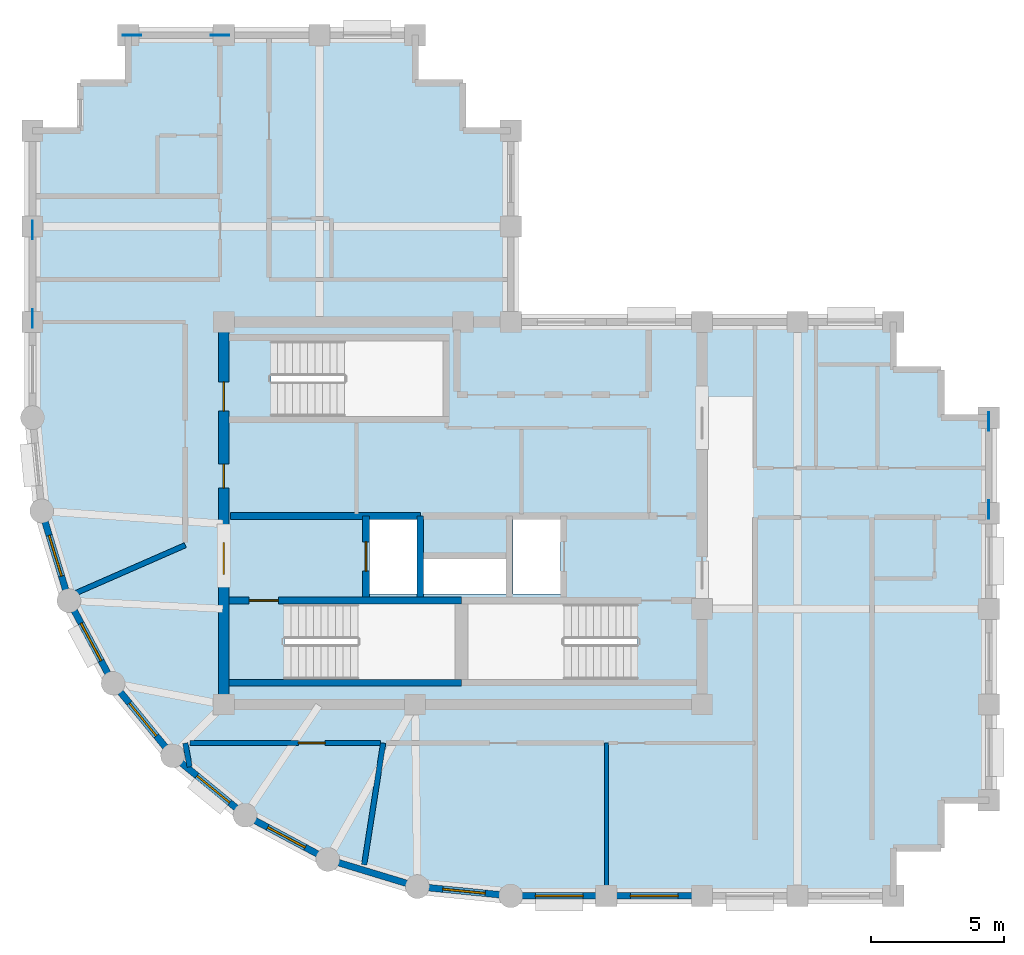
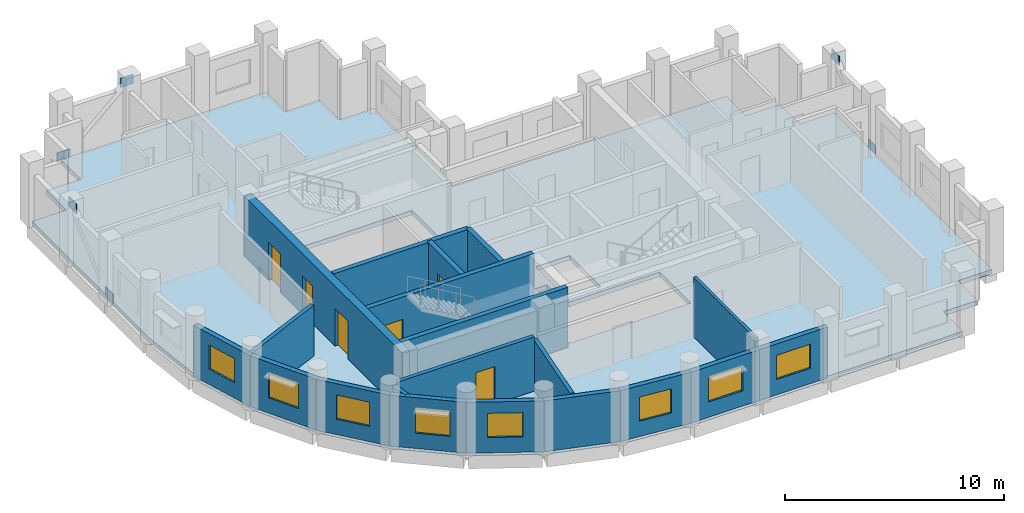
# One storey, part 2 of 7: 20 walls, 8 windows, 6 doors, 6 plates, 1 slab, 14 openings.
"""IFC4 building model written with IfcOpenShell, lengths in metres."""

import ifcopenshell
import ifcopenshell.guid

model = None  # the IFC model being written
_history = None  # IfcOwnerHistory: only IFC2X3 demands one
_inside = {}  # id of a spatial element -> (the spatial element, [elements in it])
_under = {}  # id of a project, library or spatial element -> (it, [spatial elements below it])
_declared = {}  # id of a project -> (the project, [libraries it declares])
_typed = {}  # id of a type object -> (the type object, [elements of that type])
_made_of = {}  # id of a material, layer set ... -> (it, [elements and type objects made of it])


def new_model(schema):
    """Start an empty IFC model of exactly this schema.

    Asked for "IFC4X3", IfcOpenShell would pick the latest addendum, in which some entities
    have other attributes; the version numbers below select the first issue.
    IFC2X3 requires an IfcOwnerHistory on every rooted entity: one is made here for all.
    """
    global model, _history
    if schema == "IFC4X3":
        model = ifcopenshell.file(schema_version=(4, 3, 0, 0))
    else:
        model = ifcopenshell.file(schema=schema)
    _inside.clear()
    _under.clear()
    _declared.clear()
    _typed.clear()
    _made_of.clear()
    _history = None
    if model.schema == "IFC2X3":
        org = make("IfcOrganization", Name="unknown")
        user = make(
            "IfcPersonAndOrganization",
            ThePerson=make("IfcPerson", FamilyName="unknown"),
            TheOrganization=org,
        )
        app = make(
            "IfcApplication",
            ApplicationDeveloper=org,
            Version="unknown",
            ApplicationFullName="unknown",
            ApplicationIdentifier="unknown",
        )
        _history = make(
            "IfcOwnerHistory",
            OwningUser=user,
            OwningApplication=app,
            ChangeAction="ADDED",
            CreationDate=0,
        )
    return model


def make(cls, **values):
    """One entity of the class cls with the attributes given. An attribute that is None is left unset."""
    return model.create_entity(
        cls, **{name: value for name, value in values.items() if value is not None}
    )


def rooted(cls, **values):
    """An entity with a GlobalId (a new one), such as an element, a storey or a relation."""
    return make(cls, GlobalId=ifcopenshell.guid.new(), OwnerHistory=_history, **values)


def si_unit(unit_type, name, prefix=None):
    """IfcSIUnit, for example si_unit("LENGTHUNIT", "METRE", prefix="MILLI")."""
    return make("IfcSIUnit", UnitType=unit_type, Prefix=prefix, Name=name)


def assignment(units):
    """IfcUnitAssignment: the units of a project."""
    return None if units is None else make("IfcUnitAssignment", Units=units)


def point(xyz):
    """IfcCartesianPoint."""
    return None if xyz is None else make("IfcCartesianPoint", Coordinates=xyz)


def direction(xyz):
    """IfcDirection."""
    return None if xyz is None else make("IfcDirection", DirectionRatios=xyz)


def frame(location, z_axis=None, x_axis=None):
    """IfcAxis2Placement3D, a coordinate frame: its origin and axes. An axis left out is left unset."""
    return make(
        "IfcAxis2Placement3D",
        Location=point(location),
        Axis=direction(z_axis),
        RefDirection=direction(x_axis),
    )


def frame_2d(location, x_axis=None):
    """IfcAxis2Placement2D, a coordinate frame in the plane: its origin and x axis."""
    return make(
        "IfcAxis2Placement2D", Location=point(location), RefDirection=direction(x_axis)
    )


def origin():
    """The frame at (0, 0, 0) with its axes left unset."""
    return frame((0.0, 0.0, 0.0))


def origin_2d():
    """The frame at (0, 0) in the plane with its x axis left unset."""
    return frame_2d((0.0, 0.0))


def place(relative_to, where):
    """IfcLocalPlacement: puts the frame where relative to a parent placement (None: the world)."""
    return make(
        "IfcLocalPlacement", PlacementRelTo=relative_to, RelativePlacement=where
    )


def context(
    kind, dimensions, precision=None, world=None, true_north=None, identifier=None
):
    """IfcGeometricRepresentationContext, for example the 3D "Model" context."""
    return make(
        "IfcGeometricRepresentationContext",
        ContextIdentifier=identifier,
        ContextType=kind,
        CoordinateSpaceDimension=dimensions,
        Precision=precision,
        WorldCoordinateSystem=world,
        TrueNorth=true_north,
    )


def subcontext(parent, identifier, kind, view, scale=None):
    """IfcGeometricRepresentationSubContext, for example "Body" below "Model"."""
    return make(
        "IfcGeometricRepresentationSubContext",
        ContextIdentifier=identifier,
        ContextType=kind,
        ParentContext=parent,
        TargetScale=scale,
        TargetView=view,
    )


def project(units=None, contexts=None):
    """IfcProject with its units and contexts."""
    return rooted(
        "IfcProject",
        Name="project",
        RepresentationContexts=contexts,
        UnitsInContext=assignment(units),
    )


def spatial(cls, under=None, at=None, **own):
    """A site, building, storey or space (cls), placed at a placement, below another one or the project."""
    s = rooted(cls, ObjectPlacement=at, **own)
    if under is not None:
        _under.setdefault(under.id(), (under, []))[1].append(s)
    return s


def polyline(points):
    """IfcPolyline through the points."""
    return make("IfcPolyline", Points=[point(p) for p in points])


def profile(cls, at=None, kind="AREA", **sizes):
    """A parametric profile (cls). Its sizes go by their IFC names, for example OverallWidth=200.0."""
    return make(cls, ProfileType=kind, Position=at, **sizes)


def rectangle(**sizes):
    """IfcRectangleProfileDef."""
    return profile("IfcRectangleProfileDef", **sizes)


def outline(outer, holes=None, kind="AREA"):
    """IfcArbitraryClosedProfileDef: a profile drawn as a closed curve; with holes, ...WithVoids."""
    if holes is None:
        return make("IfcArbitraryClosedProfileDef", ProfileType=kind, OuterCurve=outer)
    return make(
        "IfcArbitraryProfileDefWithVoids",
        ProfileType=kind,
        OuterCurve=outer,
        InnerCurves=holes,
    )


def extrude(swept, where, along, depth):
    """IfcExtrudedAreaSolid: the profile swept, set in the frame where, extruded along a direction by depth."""
    return make(
        "IfcExtrudedAreaSolid",
        SweptArea=swept,
        Position=where,
        ExtrudedDirection=direction(along),
        Depth=depth,
    )


def shape(context_of_items, identifier, shape_type, items):
    """IfcShapeRepresentation: the items that make up one representation, for example the "Body"."""
    return make(
        "IfcShapeRepresentation",
        ContextOfItems=context_of_items,
        RepresentationIdentifier=identifier,
        RepresentationType=shape_type,
        Items=items,
    )


def material(Name=None, Category=None):
    """IfcMaterial."""
    return make("IfcMaterial", Name=Name, Category=Category)


def layer(
    of_material, thickness, ventilated=None, Name=None, Category=None, Priority=None
):
    """IfcMaterialLayer: one layer of a wall or slab, of a material (None: an air gap)."""
    return make(
        "IfcMaterialLayer",
        Material=of_material,
        LayerThickness=thickness,
        IsVentilated=ventilated,
        Name=Name,
        Category=Category,
        Priority=Priority,
    )


def layer_set(layers, Name=None):
    """IfcMaterialLayerSet."""
    return make("IfcMaterialLayerSet", MaterialLayers=layers, LayerSetName=Name)


def made_of(thing, what):
    """Note that an element or type object is made of a material, layer set ...; save() writes the relation."""
    if what is not None:
        _made_of.setdefault(what.id(), (what, []))[1].append(thing)
    return thing


def type_object(cls, material=None, **own):
    """A type object (cls), such as IfcWallType, which elements share."""
    return made_of(rooted(cls, **own), material)


def element(
    cls,
    number,
    at=None,
    inside=None,
    cuts=None,
    type_object=None,
    material=None,
    context=None,
    identifier="Body",
    shape_type=None,
    held_by="IfcProductDefinitionShape",
    body=None,
    shapes=None,
    **own,
):
    """One element of the class cls, such as IfcWall. Its Tag is "e" and its number.

    at: its placement. inside: the storey or other place that contains it. cuts: it is an
    opening in that element (IfcRelVoidsElement). A single representation is given by context,
    identifier, shape_type and body (its items); several are given by shapes. held_by: the class
    of the entity that holds the representations. save() writes the other relations.
    """
    e = rooted(cls, Tag="e%d" % number, ObjectPlacement=at, **own)
    if body is not None:
        shapes = [shape(context, identifier, shape_type, body)]
    if shapes is not None:
        e.Representation = make(held_by, Representations=shapes)
    if inside is not None:
        _inside.setdefault(inside.id(), (inside, []))[1].append(e)
    if cuts is not None:
        rooted(
            "IfcRelVoidsElement", RelatingBuildingElement=cuts, RelatedOpeningElement=e
        )
    if type_object is not None:
        _typed.setdefault(type_object.id(), (type_object, []))[1].append(e)
    return made_of(e, material)


def fill(opening, filler):
    """IfcRelFillsElement: the door or window that sits in an opening."""
    return rooted(
        "IfcRelFillsElement",
        RelatingOpeningElement=opening,
        RelatedBuildingElement=filler,
    )


def aggregate(whole, parts):
    """IfcRelAggregates: a whole, such as a stair, and the parts it consists of."""
    return rooted("IfcRelAggregates", RelatingObject=whole, RelatedObjects=parts)


def save(model, path):
    """Write the relations noted so far, then the file.

    IfcRelAggregates (storeys below a building ...), IfcRelContainedInSpatialStructure (elements
    in a storey), IfcRelDefinesByType, IfcRelAssociatesMaterial and IfcRelDeclares: one each for
    every whole, place, type object, material and project.
    """
    for whole, parts in _under.values():
        aggregate(whole, parts)
    for where, things in _inside.values():
        rooted(
            "IfcRelContainedInSpatialStructure",
            RelatedElements=things,
            RelatingStructure=where,
        )
    for kind, things in _typed.values():
        rooted("IfcRelDefinesByType", RelatedObjects=things, RelatingType=kind)
    for what, things in _made_of.values():
        rooted("IfcRelAssociatesMaterial", RelatedObjects=things, RelatingMaterial=what)
    for by, libraries in _declared.values():
        rooted("IfcRelDeclares", RelatingContext=by, RelatedDefinitions=libraries)
    model.write(path)


model = new_model("IFC4")

# Units and contexts
model_context = context("Model", 3, precision=1e-05, world=origin(), true_north=direction((0.0, 1.0)))
body_context = subcontext(model_context, "Body", "Model", "MODEL_VIEW")
ifc_project = project(units=[si_unit("LENGTHUNIT", "METRE"), si_unit("AREAUNIT", "SQUARE_METRE"), si_unit("VOLUMEUNIT", "CUBIC_METRE"), si_unit("PLANEANGLEUNIT", "RADIAN"), si_unit("MASSUNIT", "GRAM", prefix="KILO")], contexts=[model_context])

# Site, building, storey
site_placement = place(None, origin())
site = spatial("IfcSite", under=ifc_project, at=site_placement, CompositionType="ELEMENT")
building_placement = place(site_placement, origin())
building = spatial("IfcBuilding", under=site, at=building_placement, Name="Solnavia Interchange Tower", CompositionType="ELEMENT")
storey_placement = place(building_placement, frame((0.0, 0.0, 235.39990234375)))
storey = spatial("IfcBuildingStorey", under=building, at=storey_placement, Name="L59", CompositionType="ELEMENT", Elevation=235.39990234375)

# Plates
ifc_material_1 = material(Name="Steel S460", Category="steel")
ifc_layer_1 = layer(ifc_material_1, 0.030029296875)
ifc_layer_set_1 = layer_set([ifc_layer_1], Name="Steel S460")
plate_type = type_object("IfcPlateType", Name="Plate-Gusset-700x520x30", PredefinedType="USERDEFINED", material=ifc_layer_set_1)
for number, where, z_axis, x_axis, name in (
    (1, (7.199951171875, 25.340087890625, -0.079833984375), (0.0, 0.0, 1.0), (0.0, 1.0, 0.0), "PLT-L59-GP01 Perimeter brace gusset plate"),
    (2, (7.199951171875, 28.659912109375, 2.91015625), (0.0, 0.0, 1.0), (0.0, 1.0, 0.0), "PLT-L59-GP02 Perimeter brace gusset plate"),
    (3, (43.199951171875, 18.139892578125, -0.079833984375), (0.0, 0.0, 1.0), (0.0, 1.0, 0.0), "PLT-L59-GP03 Perimeter brace gusset plate"),
    (4, (43.199951171875, 21.4599609375, 2.91015625), (0.0, 0.0, 1.0), (0.0, 1.0, 0.0), "PLT-L59-GP04 Perimeter brace gusset plate"),
    (5, (10.93994140625, 36.0, -0.079833984375), (0.0, 0.0, 1.0), (1.0, 0.0, 0.0), "PLT-L59-GP05 Perimeter brace gusset plate"),
    (6, (14.260009765625, 36.0, 2.91015625), (0.0, 0.0, 1.0), (1.0, 0.0, 0.0), "PLT-L59-GP06 Perimeter brace gusset plate"),
):
    element("IfcPlate", number, at=place(storey_placement, frame(where, z_axis=z_axis, x_axis=x_axis)), inside=storey, type_object=plate_type, Name=name, ObjectType="GUSSET PLATE", PredefinedType="USERDEFINED", context=body_context, shape_type="SweptSolid", body=[
        extrude(rectangle(XDim=0.699951171875, YDim=0.030029296875, at=origin_2d()), origin(), (0.0, 0.0, 1.0), 0.52001953125),
    ])

# Slab
ifc_material_2 = material(Name="Concrete C40/50", Category="concrete")
ifc_layer_2 = layer(ifc_material_2, 0.25)
ifc_layer_set_2 = layer_set([ifc_layer_2], Name="Concrete C40/50")
slab_type = type_object("IfcSlabType", Name="Slab-Tower-250", PredefinedType="FLOOR", material=ifc_layer_set_2)
slab_placement = place(storey_placement, frame((0.0, 0.0, -0.25)))
element("IfcSlab", 7, at=slab_placement, inside=storey, type_object=slab_type, Name="SLB-L59-01 Structural floor slab", PredefinedType="FLOOR", context=body_context, shape_type="SweptSolid", body=[
    extrude(outline(polyline([(25.199951171875, 3.60009765625), (39.60009765625, 3.60009765625), (39.60009765625, 5.39990234375), (41.39990234375, 5.39990234375), (41.39990234375, 7.199951171875), (43.199951171875, 7.199951171875), (43.199951171875, 21.60009765625), (41.39990234375, 21.60009765625), (41.39990234375, 23.39990234375), (39.60009765625, 23.39990234375), (39.60009765625, 25.199951171875), (25.199951171875, 25.199951171875), (25.199951171875, 32.39990234375), (23.39990234375, 32.39990234375), (23.39990234375, 34.199951171875), (21.60009765625, 34.199951171875), (21.60009765625, 36.0), (10.800048828125, 36.0), (10.800048828125, 34.199951171875), (9.0, 34.199951171875), (9.0, 32.39990234375), (7.199951171875, 32.39990234375), (7.199951171875, 21.60009765625), (7.5458984375, 18.087890625), (8.570068359375, 14.7119140625), (10.23388671875, 11.60009765625), (12.471923828125, 8.8720703125), (15.199951171875, 6.634033203125), (18.31201171875, 4.969970703125), (21.68798828125, 3.946044921875), (25.199951171875, 3.60009765625)]), holes=[polyline([(16.675048828125, 11.75), (23.10009765625, 11.75), (23.10009765625, 14.590087890625), (16.675048828125, 14.590087890625), (16.675048828125, 11.75)]), polyline([(23.60009765625, 11.75), (29.97509765625, 11.75), (29.97509765625, 14.590087890625), (23.60009765625, 14.590087890625), (23.60009765625, 11.75)]), polyline([(16.175048828125, 21.64990234375), (22.64990234375, 21.64990234375), (22.64990234375, 24.489990234375), (16.175048828125, 24.489990234375), (16.175048828125, 21.64990234375)]), polyline([(19.8798828125, 14.9599609375), (21.679931640625, 14.9599609375), (21.679931640625, 17.780029296875), (19.8798828125, 17.780029296875), (19.8798828125, 14.9599609375)]), polyline([(25.280029296875, 14.9599609375), (27.080078125, 14.9599609375), (27.080078125, 17.780029296875), (25.280029296875, 17.780029296875), (25.280029296875, 14.9599609375)]), polyline([(21.919921875, 14.9599609375), (25.02001953125, 14.9599609375), (25.02001953125, 16.280029296875), (21.919921875, 16.280029296875), (21.919921875, 14.9599609375)])]), origin(), (0.0, 0.0, 1.0), 0.25),
])

# Walls
ifc_material_3 = material(Name="Gypsum Acoustic Twin-Stud & Mineral Wool", Category="gypsum")
ifc_layer_3 = layer(ifc_material_3, 0.199951171875)
ifc_layer_set_3 = layer_set([ifc_layer_3], Name="Gypsum Acoustic Twin-Stud & Mineral Wool")
wall_type_1 = type_object("IfcWallType", Name="Wall-ApartmentParty-200", PredefinedType="PARTITIONING", material=ifc_layer_set_3)
wall_1_placement = place(storey_placement, frame((12.949951171875, 16.800048828125, 0.0), z_axis=(0.0, 0.0, 1.0), x_axis=(-0.916090997314, -0.400970428635, 0.0)))
element("IfcWall", 8, at=wall_1_placement, inside=storey, type_object=wall_type_1, Name="PTW-L59-09 Interior partition wall", PredefinedType="PARTITIONING", context=body_context, shape_type="SweptSolid", body=[
    extrude(rectangle(XDim=4.73095703125, YDim=0.199951171875, at=frame_2d((2.365478515625, 0.0))), origin(), (0.0, 0.0, 1.0), 2.830078125),
])
wall_2_placement = place(storey_placement, frame((12.949951171875, 9.35009765625, 0.0), z_axis=(0.0, 0.0, 1.0), x_axis=(0.179827308786, -0.983698195086, 0.0)))
element("IfcWall", 9, at=wall_2_placement, inside=storey, type_object=wall_type_1, Name="PTW-L59-10 Interior partition wall", PredefinedType="PARTITIONING", context=body_context, shape_type="SweptSolid", body=[
    extrude(rectangle(XDim=0.912353515625, YDim=0.199951171875, at=frame_2d((0.4560546875, 0.0))), origin(), (0.0, 0.0, 1.0), 2.830078125),
])
wall_3_placement = place(storey_placement, frame((20.39990234375, 9.35009765625, 0.0), z_axis=(0.0, 0.0, 1.0), x_axis=(-0.154564772307, -0.987982657318, 0.0)))
element("IfcWall", 10, at=wall_3_placement, inside=storey, type_object=wall_type_1, Name="PTW-L59-11 Interior partition wall", PredefinedType="PARTITIONING", context=body_context, shape_type="SweptSolid", body=[
    extrude(rectangle(XDim=4.637451171875, YDim=0.199951171875, at=frame_2d((2.31884765625, 0.0))), origin(), (0.0, 0.0, 1.0), 2.830078125),
])

# Wall, opening, door
wall_4_placement = place(storey_placement, frame((13.133056640625, 9.35009765625, 0.0), z_axis=(0.0, 0.0, 1.0), x_axis=(1.0, 0.0, 0.0)))
wall_4 = element("IfcWall", 11, at=wall_4_placement, inside=storey, type_object=wall_type_1, Name="PTW-L59-14 Interior partition wall", PredefinedType="PARTITIONING", context=body_context, shape_type="SweptSolid", body=[
    extrude(rectangle(XDim=7.162841796875, YDim=0.199951171875, at=frame_2d((3.58154296875, 0.0))), origin(), (0.0, 0.0, 1.0), 3.02001953125),
])
opening_1_placement = place(wall_4_placement, frame((4.077880859375, 0.0, 0.0)))
opening_1 = element("IfcOpeningElement", 12, at=opening_1_placement, cuts=wall_4, Name="Opening DR-07", PredefinedType="OPENING", context=body_context, shape_type="SweptSolid", body=[
    extrude(rectangle(XDim=1.0, YDim=2.10009765625, at=frame_2d((0.5, 1.050048828125))), frame((0.0, 0.10986328125, 0.0), z_axis=(0.0, -1.0, 0.0), x_axis=(1.0, 0.0, 0.0)), (0.0, 0.0, 1.0), 0.219970703125),
])
ifc_material_4 = material(Name="Timber & Acoustic Glazed Office Door", Category="wood")
door_type_1 = type_object("IfcDoorType", Name="Door-Office-1000x2100", OperationType="SINGLE_SWING_RIGHT", PredefinedType="DOOR", material=ifc_material_4)
door_1_placement = place(opening_1_placement, origin())
door_1 = element("IfcDoor", 13, at=door_1_placement, inside=storey, type_object=door_type_1, Name="DR-L59-05 Interior room door", OperationType="SINGLE_SWING_LEFT", OverallHeight=2.10009765625, OverallWidth=1.0, PredefinedType="DOOR", context=body_context, shape_type="SweptSolid", body=[
    extrude(rectangle(XDim=1.0, YDim=2.10009765625, at=frame_2d((0.5, 1.050048828125))), frame((0.0, 0.02490234375, 0.0), z_axis=(0.0, -1.0, 0.0), x_axis=(1.0, 0.0, 0.0)), (0.0, 0.0, 1.0), 0.050048828125),
])
fill(opening_1, door_1)

# Wall, opening, window
ifc_layer_4 = layer(ifc_material_2, 0.25)
ifc_layer_set_4 = layer_set([ifc_layer_4], Name="Concrete C40/50")
wall_type_2 = type_object("IfcWallType", Name="Wall-ExtSpandrel-250", PredefinedType="STANDARD", material=ifc_layer_set_4)
wall_5_placement = place(storey_placement, frame((28.800048828125, 3.60009765625, 0.0), z_axis=(0.0, 0.0, 1.0), x_axis=(-1.0, 0.0, 0.0)))
wall_5 = element("IfcWall", 14, at=wall_5_placement, inside=storey, type_object=wall_type_2, Name="EXW-L59-01 Exterior precast spandrel wall", PredefinedType="STANDARD", context=body_context, shape_type="SweptSolid", body=[
    extrude(rectangle(XDim=3.60009765625, YDim=0.25, at=frame_2d((1.800048828125, 0.0))), origin(), (0.0, 0.0, 1.0), 2.830078125),
])
opening_2_placement = place(wall_5_placement, frame((0.875, 0.0, 0.85009765625)))
opening_2 = element("IfcOpeningElement", 15, at=opening_2_placement, cuts=wall_5, Name="Opening WIN-02", PredefinedType="OPENING", context=body_context, shape_type="SweptSolid", body=[
    extrude(rectangle(XDim=1.800048828125, YDim=1.35009765625, at=frame_2d((0.89990234375, 0.675048828125))), frame((0.0, 0.135009765625, 0.0), z_axis=(0.0, -1.0, 0.0), x_axis=(1.0, 0.0, 0.0)), (0.0, 0.0, 1.0), 0.27001953125),
])
ifc_material_5 = material(Name="Thermal-Break Aluminium & Low-E Glass", Category="aluminium")
window_type_1 = type_object("IfcWindowType", Name="Window-Ribbon-1800x1350", PartitioningType="SINGLE_PANEL", PredefinedType="WINDOW", material=ifc_material_5)
window_1_placement = place(opening_2_placement, origin())
window_1 = element("IfcWindow", 16, at=window_1_placement, inside=storey, type_object=window_type_1, Name="WIN-L59-01 Facade ribbon window", OverallHeight=1.35009765625, OverallWidth=1.800048828125, PartitioningType="SINGLE_PANEL", PredefinedType="WINDOW", context=body_context, shape_type="SweptSolid", body=[
    extrude(rectangle(XDim=1.800048828125, YDim=1.35009765625, at=frame_2d((0.89990234375, 0.675048828125))), frame((0.0, 0.030029296875, 0.0), z_axis=(0.0, -1.0, 0.0), x_axis=(1.0, 0.0, 0.0)), (0.0, 0.0, 1.0), 0.06005859375),
])
fill(opening_2, window_1)

wall_6_placement = place(storey_placement, frame((32.39990234375, 3.60009765625, 0.0), z_axis=(0.0, 0.0, 1.0), x_axis=(-1.0, 0.0, 0.0)))
wall_6 = element("IfcWall", 17, at=wall_6_placement, inside=storey, type_object=wall_type_2, Name="EXW-L59-02 Exterior precast spandrel wall", PredefinedType="STANDARD", context=body_context, shape_type="SweptSolid", body=[
    extrude(rectangle(XDim=3.599853515625, YDim=0.25, at=frame_2d((1.7998046875, 0.0))), origin(), (0.0, 0.0, 1.0), 2.830078125),
])
opening_3_placement = place(wall_6_placement, frame((0.89990234375, 0.0, 0.85009765625)))
opening_3 = element("IfcOpeningElement", 18, at=opening_3_placement, cuts=wall_6, Name="Opening WIN-02", PredefinedType="OPENING", context=body_context, shape_type="SweptSolid", body=[
    extrude(rectangle(XDim=1.800048828125, YDim=1.35009765625, at=frame_2d((0.89990234375, 0.675048828125))), frame((0.0, 0.135009765625, 0.0), z_axis=(0.0, -1.0, 0.0), x_axis=(1.0, 0.0, 0.0)), (0.0, 0.0, 1.0), 0.27001953125),
])
window_2_placement = place(opening_3_placement, origin())
window_2 = element("IfcWindow", 19, at=window_2_placement, inside=storey, type_object=window_type_1, Name="WIN-L59-02 Facade ribbon window", OverallHeight=1.35009765625, OverallWidth=1.800048828125, PartitioningType="SINGLE_PANEL", PredefinedType="WINDOW", context=body_context, shape_type="SweptSolid", body=[
    extrude(rectangle(XDim=1.800048828125, YDim=1.35009765625, at=frame_2d((0.89990234375, 0.675048828125))), frame((0.0, 0.030029296875, 0.0), z_axis=(0.0, -1.0, 0.0), x_axis=(1.0, 0.0, 0.0)), (0.0, 0.0, 1.0), 0.06005859375),
])
fill(opening_3, window_2)

wall_7_placement = place(storey_placement, frame((8.570068359375, 14.7119140625, 0.0), z_axis=(0.0, 0.0, 1.0), x_axis=(-0.290305086481, 0.956934144423, 0.0)))
wall_7 = element("IfcWall", 20, at=wall_7_placement, inside=storey, type_object=wall_type_2, Name="EXW-L59-38 Exterior precast spandrel wall", PredefinedType="STANDARD", context=body_context, shape_type="SweptSolid", body=[
    extrude(rectangle(XDim=3.52783203125, YDim=0.25, at=frame_2d((1.763916015625, 0.0))), origin(), (0.0, 0.0, 1.0), 2.830078125),
])
opening_4_placement = place(wall_7_placement, frame((0.964111328125, 0.0, 0.85009765625)))
opening_4 = element("IfcOpeningElement", 21, at=opening_4_placement, cuts=wall_7, Name="Opening WIN-04", PredefinedType="OPENING", context=body_context, shape_type="SweptSolid", body=[
    extrude(rectangle(XDim=1.60009765625, YDim=1.35009765625, at=frame_2d((0.800048828125, 0.675048828125))), frame((0.0, 0.135009765625, 0.0), z_axis=(0.0, -1.0, 0.0), x_axis=(1.0, 0.0, 0.0)), (0.0, 0.0, 1.0), 0.27001953125),
])
window_type_2 = type_object("IfcWindowType", Name="Window-Drum-1600x1350", PartitioningType="SINGLE_PANEL", PredefinedType="WINDOW", material=ifc_material_5)
window_3_placement = place(opening_4_placement, origin())
window_3 = element("IfcWindow", 22, at=window_3_placement, inside=storey, type_object=window_type_2, Name="WIN-L59-38 Facade ribbon window", OverallHeight=1.35009765625, OverallWidth=1.60009765625, PartitioningType="SINGLE_PANEL", PredefinedType="WINDOW", context=body_context, shape_type="SweptSolid", body=[
    extrude(rectangle(XDim=1.60009765625, YDim=1.35009765625, at=frame_2d((0.800048828125, 0.675048828125))), frame((0.0, 0.030029296875, 0.0), z_axis=(0.0, -1.0, 0.0), x_axis=(1.0, 0.0, 0.0)), (0.0, 0.0, 1.0), 0.06005859375),
])
fill(opening_4, window_3)

wall_8_placement = place(storey_placement, frame((10.23388671875, 11.60009765625, 0.0), z_axis=(0.0, 0.0, 1.0), x_axis=(-0.47151087309, 0.881860247748, 0.0)))
wall_8 = element("IfcWall", 23, at=wall_8_placement, inside=storey, type_object=wall_type_2, Name="EXW-L59-39 Exterior precast spandrel wall", PredefinedType="STANDARD", context=body_context, shape_type="SweptSolid", body=[
    extrude(rectangle(XDim=3.52880859375, YDim=0.25, at=frame_2d((1.764404296875, 0.0))), origin(), (0.0, 0.0, 1.0), 2.830078125),
])
opening_5_placement = place(wall_8_placement, frame((0.964111328125, 0.0, 0.85009765625)))
opening_5 = element("IfcOpeningElement", 24, at=opening_5_placement, cuts=wall_8, Name="Opening WIN-04", PredefinedType="OPENING", context=body_context, shape_type="SweptSolid", body=[
    extrude(rectangle(XDim=1.60009765625, YDim=1.35009765625, at=frame_2d((0.800048828125, 0.675048828125))), frame((0.0, 0.135009765625, 0.0), z_axis=(0.0, -1.0, 0.0), x_axis=(1.0, 0.0, 0.0)), (0.0, 0.0, 1.0), 0.27001953125),
])
window_4_placement = place(opening_5_placement, origin())
window_4 = element("IfcWindow", 25, at=window_4_placement, inside=storey, type_object=window_type_2, Name="WIN-L59-39 Facade ribbon window", OverallHeight=1.35009765625, OverallWidth=1.60009765625, PartitioningType="SINGLE_PANEL", PredefinedType="WINDOW", context=body_context, shape_type="SweptSolid", body=[
    extrude(rectangle(XDim=1.60009765625, YDim=1.35009765625, at=frame_2d((0.800048828125, 0.675048828125))), frame((0.0, 0.030029296875, 0.0), z_axis=(0.0, -1.0, 0.0), x_axis=(1.0, 0.0, 0.0)), (0.0, 0.0, 1.0), 0.06005859375),
])
fill(opening_5, window_4)

wall_9_placement = place(storey_placement, frame((12.471923828125, 8.8720703125, 0.0), z_axis=(0.0, 0.0, 1.0), x_axis=(-0.634258295121, 0.773121216285, 0.0)))
wall_9 = element("IfcWall", 26, at=wall_9_placement, inside=storey, type_object=wall_type_2, Name="EXW-L59-40 Exterior precast spandrel wall", PredefinedType="STANDARD", context=body_context, shape_type="SweptSolid", body=[
    extrude(rectangle(XDim=3.528564453125, YDim=0.25, at=frame_2d((1.76416015625, 0.0))), origin(), (0.0, 0.0, 1.0), 2.830078125),
])
opening_6_placement = place(wall_9_placement, frame((0.964111328125, 0.0, 0.85009765625)))
opening_6 = element("IfcOpeningElement", 27, at=opening_6_placement, cuts=wall_9, Name="Opening WIN-04", PredefinedType="OPENING", context=body_context, shape_type="SweptSolid", body=[
    extrude(rectangle(XDim=1.60009765625, YDim=1.35009765625, at=frame_2d((0.800048828125, 0.675048828125))), frame((0.0, 0.135009765625, 0.0), z_axis=(0.0, -1.0, 0.0), x_axis=(1.0, 0.0, 0.0)), (0.0, 0.0, 1.0), 0.27001953125),
])
window_5_placement = place(opening_6_placement, origin())
window_5 = element("IfcWindow", 28, at=window_5_placement, inside=storey, type_object=window_type_2, Name="WIN-L59-40 Facade ribbon window", OverallHeight=1.35009765625, OverallWidth=1.60009765625, PartitioningType="SINGLE_PANEL", PredefinedType="WINDOW", context=body_context, shape_type="SweptSolid", body=[
    extrude(rectangle(XDim=1.60009765625, YDim=1.35009765625, at=frame_2d((0.800048828125, 0.675048828125))), frame((0.0, 0.030029296875, 0.0), z_axis=(0.0, -1.0, 0.0), x_axis=(1.0, 0.0, 0.0)), (0.0, 0.0, 1.0), 0.06005859375),
])
fill(opening_6, window_5)

wall_10_placement = place(storey_placement, frame((15.199951171875, 6.634033203125, 0.0), z_axis=(0.0, 0.0, 1.0), x_axis=(-0.773121216285, 0.634258295121, 0.0)))
wall_10 = element("IfcWall", 29, at=wall_10_placement, inside=storey, type_object=wall_type_2, Name="EXW-L59-41 Exterior precast spandrel wall", PredefinedType="STANDARD", context=body_context, shape_type="SweptSolid", body=[
    extrude(rectangle(XDim=3.528564453125, YDim=0.25, at=frame_2d((1.76416015625, 0.0))), origin(), (0.0, 0.0, 1.0), 2.830078125),
])
opening_7_placement = place(wall_10_placement, frame((0.743896484375, 0.0, 0.85009765625)))
opening_7 = element("IfcOpeningElement", 30, at=opening_7_placement, cuts=wall_10, Name="Opening WIN-04", PredefinedType="OPENING", context=body_context, shape_type="SweptSolid", body=[
    extrude(rectangle(XDim=1.60009765625, YDim=1.35009765625, at=frame_2d((0.800048828125, 0.675048828125))), frame((0.0, 0.135009765625, 0.0), z_axis=(0.0, -1.0, 0.0), x_axis=(1.0, 0.0, 0.0)), (0.0, 0.0, 1.0), 0.27001953125),
])
window_6_placement = place(opening_7_placement, origin())
window_6 = element("IfcWindow", 31, at=window_6_placement, inside=storey, type_object=window_type_2, Name="WIN-L59-41 Facade ribbon window", OverallHeight=1.35009765625, OverallWidth=1.60009765625, PartitioningType="SINGLE_PANEL", PredefinedType="WINDOW", context=body_context, shape_type="SweptSolid", body=[
    extrude(rectangle(XDim=1.60009765625, YDim=1.35009765625, at=frame_2d((0.800048828125, 0.675048828125))), frame((0.0, 0.030029296875, 0.0), z_axis=(0.0, -1.0, 0.0), x_axis=(1.0, 0.0, 0.0)), (0.0, 0.0, 1.0), 0.06005859375),
])
fill(opening_7, window_6)

wall_11_placement = place(storey_placement, frame((18.31201171875, 4.969970703125, 0.0), z_axis=(0.0, 0.0, 1.0), x_axis=(-0.881846862014, 0.471535907389, 0.0)))
wall_11 = element("IfcWall", 32, at=wall_11_placement, inside=storey, type_object=wall_type_2, Name="EXW-L59-42 Exterior precast spandrel wall", PredefinedType="STANDARD", context=body_context, shape_type="SweptSolid", body=[
    extrude(rectangle(XDim=3.529052734375, YDim=0.25, at=frame_2d((1.7646484375, 0.0))), origin(), (0.0, 0.0, 1.0), 2.830078125),
])
opening_8_placement = place(wall_11_placement, frame((0.964111328125, 0.0, 0.85009765625)))
opening_8 = element("IfcOpeningElement", 33, at=opening_8_placement, cuts=wall_11, Name="Opening WIN-04", PredefinedType="OPENING", context=body_context, shape_type="SweptSolid", body=[
    extrude(rectangle(XDim=1.60009765625, YDim=1.35009765625, at=frame_2d((0.800048828125, 0.675048828125))), frame((0.0, 0.135009765625, 0.0), z_axis=(0.0, -1.0, 0.0), x_axis=(1.0, 0.0, 0.0)), (0.0, 0.0, 1.0), 0.27001953125),
])
window_7_placement = place(opening_8_placement, origin())
window_7 = element("IfcWindow", 34, at=window_7_placement, inside=storey, type_object=window_type_2, Name="WIN-L59-42 Facade ribbon window", OverallHeight=1.35009765625, OverallWidth=1.60009765625, PartitioningType="SINGLE_PANEL", PredefinedType="WINDOW", context=body_context, shape_type="SweptSolid", body=[
    extrude(rectangle(XDim=1.60009765625, YDim=1.35009765625, at=frame_2d((0.800048828125, 0.675048828125))), frame((0.0, 0.030029296875, 0.0), z_axis=(0.0, -1.0, 0.0), x_axis=(1.0, 0.0, 0.0)), (0.0, 0.0, 1.0), 0.06005859375),
])
fill(opening_8, window_7)

# Wall
wall_12_placement = place(storey_placement, frame((21.68798828125, 3.946044921875, 0.0), z_axis=(0.0, 0.0, 1.0), x_axis=(-0.956953367403, 0.290241714123, 0.0)))
element("IfcWall", 35, at=wall_12_placement, inside=storey, type_object=wall_type_2, Name="EXW-L59-43 Exterior precast spandrel wall", PredefinedType="STANDARD", context=body_context, shape_type="SweptSolid", body=[
    extrude(rectangle(XDim=3.52783203125, YDim=0.25, at=frame_2d((1.763916015625, 0.0))), origin(), (0.0, 0.0, 1.0), 2.830078125),
])

# Wall, opening, window
wall_13_placement = place(storey_placement, frame((25.199951171875, 3.60009765625, 0.0), z_axis=(0.0, 0.0, 1.0), x_axis=(-0.995183369056, 0.098030923459, 0.0)))
wall_13 = element("IfcWall", 36, at=wall_13_placement, inside=storey, type_object=wall_type_2, Name="EXW-L59-44 Exterior precast spandrel wall", PredefinedType="STANDARD", context=body_context, shape_type="SweptSolid", body=[
    extrude(rectangle(XDim=3.529052734375, YDim=0.25, at=frame_2d((1.7646484375, 0.0))), origin(), (0.0, 0.0, 1.0), 2.830078125),
])
opening_9_placement = place(wall_13_placement, frame((0.965087890625, 0.0, 0.85009765625)))
opening_9 = element("IfcOpeningElement", 37, at=opening_9_placement, cuts=wall_13, Name="Opening WIN-04", PredefinedType="OPENING", context=body_context, shape_type="SweptSolid", body=[
    extrude(rectangle(XDim=1.60009765625, YDim=1.35009765625, at=frame_2d((0.800048828125, 0.675048828125))), frame((0.0, 0.135009765625, 0.0), z_axis=(0.0, -1.0, 0.0), x_axis=(1.0, 0.0, 0.0)), (0.0, 0.0, 1.0), 0.27001953125),
])
window_8_placement = place(opening_9_placement, origin())
window_8 = element("IfcWindow", 38, at=window_8_placement, inside=storey, type_object=window_type_2, Name="WIN-L59-44 Facade ribbon window", OverallHeight=1.35009765625, OverallWidth=1.60009765625, PartitioningType="SINGLE_PANEL", PredefinedType="WINDOW", context=body_context, shape_type="SweptSolid", body=[
    extrude(rectangle(XDim=1.60009765625, YDim=1.35009765625, at=frame_2d((0.800048828125, 0.675048828125))), frame((0.0, 0.030029296875, 0.0), z_axis=(0.0, -1.0, 0.0), x_axis=(1.0, 0.0, 0.0)), (0.0, 0.0, 1.0), 0.06005859375),
])
fill(opening_9, window_8)

# Walls
ifc_material_6 = material(Name="Gypsum Plasterboard & Steel Stud", Category="steel")
ifc_layer_5 = layer(ifc_material_6, 0.14990234375)
ifc_layer_set_5 = layer_set([ifc_layer_5], Name="Gypsum Plasterboard & Steel Stud")
wall_type_3 = type_object("IfcWallType", Name="Wall-Partition-150", PredefinedType="PARTITIONING", material=ifc_layer_set_5)
wall_14_placement = place(storey_placement, frame((28.800048828125, 9.35009765625, 0.0), z_axis=(0.0, 0.0, 1.0), x_axis=(0.0, -1.0, 0.0)))
element("IfcWall", 39, at=wall_14_placement, inside=storey, type_object=wall_type_3, Name="PTW-L59-08 Interior partition wall", PredefinedType="PARTITIONING", context=body_context, shape_type="SweptSolid", body=[
    extrude(rectangle(XDim=5.62109375, YDim=0.14990234375, at=frame_2d((2.810546875, 0.0))), origin(), (0.0, 0.0, 1.0), 3.335205078125),
])
ifc_layer_6 = layer(ifc_material_2, 0.25)
ifc_layer_set_6 = layer_set([ifc_layer_6], Name="Concrete C40/50")
wall_type_4 = type_object("IfcWallType", Name="Wall-ShaftCore-250", PredefinedType="SHEAR", material=ifc_layer_set_6)
wall_15_placement = place(storey_placement, frame((14.60009765625, 11.625, 0.0), z_axis=(0.0, 0.0, 1.0), x_axis=(1.0, 0.0, 0.0)))
element("IfcWall", 40, at=wall_15_placement, inside=storey, type_object=wall_type_4, Name="SHW-L59-ST1S Core shear wall", PredefinedType="SHEAR", context=body_context, shape_type="SweptSolid", body=[
    extrude(rectangle(XDim=8.75, YDim=0.25, at=frame_2d((4.375, 0.0))), origin(), (0.0, 0.0, 1.0), 3.35009765625),
])

# Wall, opening, door
wall_16_placement = place(storey_placement, frame((14.60009765625, 14.715087890625, 0.0), z_axis=(0.0, 0.0, 1.0), x_axis=(1.0, 0.0, 0.0)))
wall_16 = element("IfcWall", 41, at=wall_16_placement, inside=storey, type_object=wall_type_4, Name="SHW-L59-ST1N Core shear wall", PredefinedType="SHEAR", context=body_context, shape_type="SweptSolid", body=[
    extrude(rectangle(XDim=8.75, YDim=0.25, at=frame_2d((4.375, 0.0))), origin(), (0.0, 0.0, 1.0), 3.35009765625),
])
opening_10_placement = place(wall_16_placement, frame((0.7548828125, 0.0, 0.0)))
opening_10 = element("IfcOpeningElement", 42, at=opening_10_placement, cuts=wall_16, Name="Opening DR-01", PredefinedType="OPENING", context=body_context, shape_type="SweptSolid", body=[
    extrude(rectangle(XDim=1.10009765625, YDim=2.10009765625, at=frame_2d((0.550048828125, 1.050048828125))), frame((0.0, 0.135009765625, 0.0), z_axis=(0.0, -1.0, 0.0), x_axis=(1.0, 0.0, 0.0)), (0.0, 0.0, 1.0), 0.27001953125),
])
ifc_material_7 = material(Name="Steel Fire-Rated Leaf & Frame", Category="steel")
door_type_2 = type_object("IfcDoorType", Name="Door-StairFire-1100x2100", OperationType="SINGLE_SWING_LEFT", PredefinedType="DOOR", material=ifc_material_7)
door_2_placement = place(opening_10_placement, origin())
door_2 = element("IfcDoor", 43, at=door_2_placement, inside=storey, type_object=door_type_2, Name="DR-L59-ST1 Core fire door", OperationType="SINGLE_SWING_LEFT", OverallHeight=2.10009765625, OverallWidth=1.10009765625, PredefinedType="DOOR", context=body_context, shape_type="SweptSolid", body=[
    extrude(rectangle(XDim=1.10009765625, YDim=2.10009765625, at=frame_2d((0.550048828125, 1.050048828125))), frame((0.0, 0.02490234375, 0.0), z_axis=(0.0, -1.0, 0.0), x_axis=(1.0, 0.0, 0.0)), (0.0, 0.0, 1.0), 0.050048828125),
])
fill(opening_10, door_2)

# Wall
ifc_layer_7 = layer(ifc_material_2, 0.25)
ifc_layer_set_7 = layer_set([ifc_layer_7], Name="Concrete C40/50")
wall_type_5 = type_object("IfcWallType", Name="Wall-ShaftPart-250", PredefinedType="PARTITIONING", material=ifc_layer_set_7)
wall_17_placement = place(storey_placement, frame((14.64990234375, 17.89990234375, 0.0), z_axis=(0.0, 0.0, 1.0), x_axis=(1.0, 0.0, 0.0)))
element("IfcWall", 44, at=wall_17_placement, inside=storey, type_object=wall_type_5, Name="SHW-L59-FFLW-N Core shaft wall", PredefinedType="PARTITIONING", context=body_context, shape_type="SweptSolid", body=[
    extrude(rectangle(XDim=7.150146484375, YDim=0.25, at=frame_2d((3.5751953125, 0.0))), origin(), (0.0, 0.0, 1.0), 3.335205078125),
])

# Wall, opening, door
wall_18_placement = place(storey_placement, frame((19.75, 14.840087890625, 0.0), z_axis=(0.0, 0.0, 1.0), x_axis=(0.0, 1.0, 0.0)))
wall_18 = element("IfcWall", 45, at=wall_18_placement, inside=storey, type_object=wall_type_5, Name="SHW-L59-FFL1-W Core shaft wall", PredefinedType="PARTITIONING", context=body_context, shape_type="SweptSolid", body=[
    extrude(rectangle(XDim=3.059814453125, YDim=0.25, at=frame_2d((1.52978515625, 0.0))), origin(), (0.0, 0.0, 1.0), 3.335205078125),
])
opening_11_placement = place(wall_18_placement, frame((0.97998046875, 0.0, 0.0)))
opening_11 = element("IfcOpeningElement", 46, at=opening_11_placement, cuts=wall_18, Name="Opening LD-01", PredefinedType="OPENING", context=body_context, shape_type="SweptSolid", body=[
    extrude(rectangle(XDim=1.10009765625, YDim=2.10009765625, at=frame_2d((0.550048828125, 1.050048828125))), frame((0.0, 0.135009765625, 0.0), z_axis=(0.0, -1.0, 0.0), x_axis=(1.0, 0.0, 0.0)), (0.0, 0.0, 1.0), 0.27001953125),
])
ifc_material_8 = material(Name="Brushed Stainless Steel Sliding Door", Category="steel")
door_type_3 = type_object("IfcDoorType", Name="Door-LiftLanding-1100x2100", OperationType="SLIDING_TO_LEFT", PredefinedType="DOOR", material=ifc_material_8)
door_3_placement = place(opening_11_placement, origin())
door_3 = element("IfcDoor", 47, at=door_3_placement, inside=storey, type_object=door_type_3, Name="LD-L59-FFL1 Lift landing sliding door", OperationType="SLIDING_TO_LEFT", OverallHeight=2.10009765625, OverallWidth=1.10009765625, PredefinedType="DOOR", context=body_context, shape_type="SweptSolid", body=[
    extrude(rectangle(XDim=1.10009765625, YDim=2.10009765625, at=frame_2d((0.550048828125, 1.050048828125))), frame((0.0, 0.02490234375, 0.0), z_axis=(0.0, -1.0, 0.0), x_axis=(1.0, 0.0, 0.0)), (0.0, 0.0, 1.0), 0.050048828125),
])
fill(opening_11, door_3)

# Wall
wall_19_placement = place(storey_placement, frame((21.800048828125, 14.840087890625, 0.0), z_axis=(0.0, 0.0, 1.0), x_axis=(0.0, 1.0, 0.0)))
element("IfcWall", 48, at=wall_19_placement, inside=storey, type_object=wall_type_5, Name="SHW-L59-FFL1-E Core shaft wall", PredefinedType="PARTITIONING", context=body_context, shape_type="SweptSolid", body=[
    extrude(rectangle(XDim=3.059814453125, YDim=0.25, at=frame_2d((1.52978515625, 0.0))), origin(), (0.0, 0.0, 1.0), 3.335205078125),
])

# Wall, openings, doors
ifc_material_9 = material(Name="Concrete C50/60", Category="concrete")
ifc_layer_8 = layer(ifc_material_9, 0.39990234375)
ifc_layer_set_8 = layer_set([ifc_layer_8], Name="Concrete C50/60")
wall_type_6 = type_object("IfcWallType", Name="Wall-ShearCore-400", PredefinedType="SHEAR", material=ifc_layer_set_8)
wall_20_placement = place(storey_placement, frame((14.39990234375, 10.800048828125, 0.0), z_axis=(0.0, 0.0, 1.0), x_axis=(0.0, 1.0, 0.0)))
wall_20 = element("IfcWall", 49, at=wall_20_placement, inside=storey, type_object=wall_type_6, Name="CRW-L59-W Core shear wall", PredefinedType="SHEAR", context=body_context, shape_type="SweptSolid", body=[
    extrude(rectangle(XDim=14.39990234375, YDim=0.39990234375, at=frame_2d((7.199951171875, 0.0))), origin(), (0.0, 0.0, 1.0), 3.35009765625),
])
opening_12_placement = place(wall_20_placement, frame((11.050048828125, 0.0, 0.0)))
opening_12 = element("IfcOpeningElement", 50, at=opening_12_placement, cuts=wall_20, Name="Opening DR-01", PredefinedType="OPENING", context=body_context, shape_type="SweptSolid", body=[
    extrude(rectangle(XDim=1.10009765625, YDim=2.10009765625, at=frame_2d((0.550048828125, 1.050048828125))), frame((0.0, 0.2099609375, 0.0), z_axis=(0.0, -1.0, 0.0), x_axis=(1.0, 0.0, 0.0)), (0.0, 0.0, 1.0), 0.419921875),
])
opening_13_placement = place(wall_20_placement, frame((4.89990234375, 0.0, 0.0)))
opening_13 = element("IfcOpeningElement", 51, at=opening_13_placement, cuts=wall_20, Name="Opening DR-02", PredefinedType="OPENING", context=body_context, shape_type="SweptSolid", body=[
    extrude(rectangle(XDim=1.199951171875, YDim=2.10009765625, at=frame_2d((0.60009765625, 1.050048828125))), frame((0.0, 0.2099609375, 0.0), z_axis=(0.0, -1.0, 0.0), x_axis=(1.0, 0.0, 0.0)), (0.0, 0.0, 1.0), 0.419921875),
])
opening_14_placement = place(wall_20_placement, frame((8.14990234375, 0.0, 0.0)))
opening_14 = element("IfcOpeningElement", 52, at=opening_14_placement, cuts=wall_20, Name="Opening DR-09", PredefinedType="OPENING", context=body_context, shape_type="SweptSolid", body=[
    extrude(rectangle(XDim=0.89990234375, YDim=2.10009765625, at=frame_2d((0.449951171875, 1.050048828125))), frame((0.0, 0.2099609375, 0.0), z_axis=(0.0, -1.0, 0.0), x_axis=(1.0, 0.0, 0.0)), (0.0, 0.0, 1.0), 0.419921875),
])
ifc_material_10 = material(Name="Engineered Oak Veneer Door", Category="wood")
door_type_4 = type_object("IfcDoorType", Name="Door-Internal-900x2100", OperationType="SINGLE_SWING_LEFT", PredefinedType="DOOR", material=ifc_material_10)
door_4_placement = place(opening_14_placement, origin())
door_4 = element("IfcDoor", 53, at=door_4_placement, inside=storey, type_object=door_type_4, Name="DR-L59-CS1 Core fire door", OperationType="SINGLE_SWING_RIGHT", OverallHeight=2.10009765625, OverallWidth=0.89990234375, PredefinedType="DOOR", context=body_context, shape_type="SweptSolid", body=[
    extrude(rectangle(XDim=0.89990234375, YDim=2.10009765625, at=frame_2d((0.449951171875, 1.050048828125))), frame((0.0, 0.02490234375, 0.0), z_axis=(0.0, -1.0, 0.0), x_axis=(1.0, 0.0, 0.0)), (0.0, 0.0, 1.0), 0.050048828125),
])
fill(opening_14, door_4)
ifc_material_11 = material(Name="Steel Fire-Rated Vision-Panel Door", Category="steel")
door_type_5 = type_object("IfcDoorType", Name="Door-LobbyFire-1200x2100", OperationType="SINGLE_SWING_RIGHT", PredefinedType="DOOR", material=ifc_material_11)
door_5_placement = place(opening_13_placement, origin())
door_5 = element("IfcDoor", 54, at=door_5_placement, inside=storey, type_object=door_type_5, Name="DR-L59-FFL1W Core fire door", OperationType="SINGLE_SWING_RIGHT", OverallHeight=2.10009765625, OverallWidth=1.199951171875, PredefinedType="DOOR", context=body_context, shape_type="SweptSolid", body=[
    extrude(rectangle(XDim=1.199951171875, YDim=2.10009765625, at=frame_2d((0.60009765625, 1.050048828125))), frame((0.0, 0.02490234375, 0.0), z_axis=(0.0, -1.0, 0.0), x_axis=(1.0, 0.0, 0.0)), (0.0, 0.0, 1.0), 0.050048828125),
])
fill(opening_13, door_5)
door_6_placement = place(opening_12_placement, origin())
door_6 = element("IfcDoor", 55, at=door_6_placement, inside=storey, type_object=door_type_2, Name="DR-L59-ST3 Core fire door", OperationType="SINGLE_SWING_RIGHT", OverallHeight=2.10009765625, OverallWidth=1.10009765625, PredefinedType="DOOR", context=body_context, shape_type="SweptSolid", body=[
    extrude(rectangle(XDim=1.10009765625, YDim=2.10009765625, at=frame_2d((0.550048828125, 1.050048828125))), frame((0.0, 0.02490234375, 0.0), z_axis=(0.0, -1.0, 0.0), x_axis=(1.0, 0.0, 0.0)), (0.0, 0.0, 1.0), 0.050048828125),
])
fill(opening_12, door_6)

save(model, "model.ifc")
